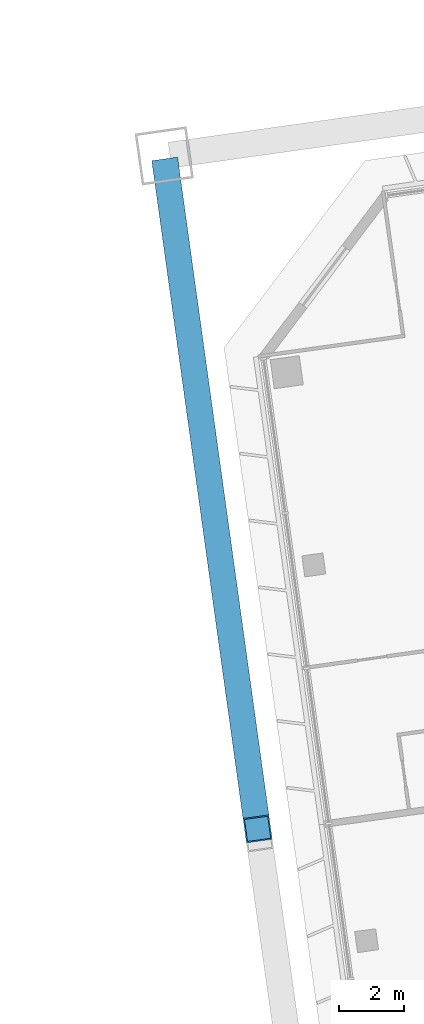
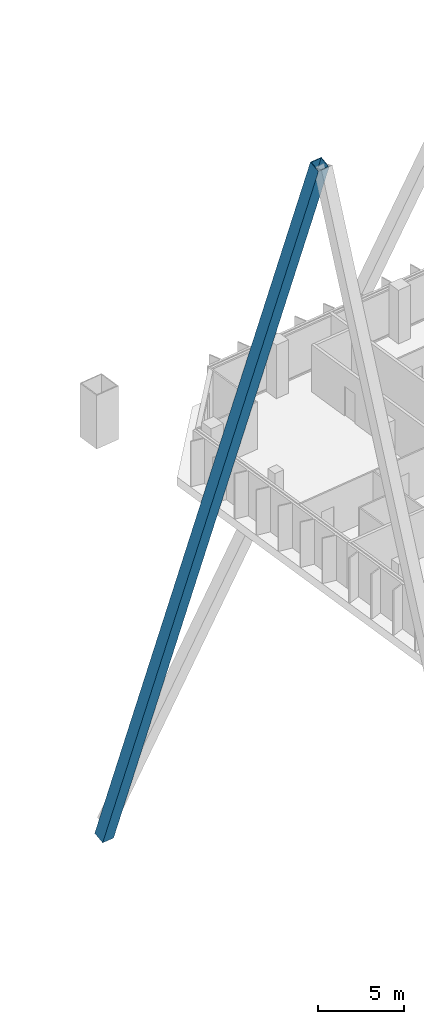
# One storey, part 20 of 41: 1 member.
"""IFC4 building model written with IfcOpenShell, lengths in metres."""

from ifc_helpers import new_model, si_unit, direction, frame, origin, origin_2d, place, context, subcontext, project, spatial, hollow_rectangle, extrude, material, material_profile, profile_set, type_object, element, save


model = new_model("IFC4")

# Units and contexts
model_context = context("Model", 3, precision=1e-05, world=origin(), true_north=direction((0.0, 1.0)))
body_context = subcontext(model_context, "Body", "Model", "MODEL_VIEW")
ifc_project = project(units=[si_unit("LENGTHUNIT", "METRE"), si_unit("AREAUNIT", "SQUARE_METRE"), si_unit("VOLUMEUNIT", "CUBIC_METRE"), si_unit("PLANEANGLEUNIT", "RADIAN"), si_unit("MASSUNIT", "GRAM", prefix="KILO")], contexts=[model_context])

# Site, building, storey
site_placement = place(None, origin())
site = spatial("IfcSite", under=ifc_project, at=site_placement, CompositionType="ELEMENT")
building_placement = place(site_placement, origin())
building = spatial("IfcBuilding", under=site, at=building_placement, Name="Mirante Cascada Hotel Towers", CompositionType="ELEMENT")
storey_placement = place(building_placement, frame((0.0, 0.0, 125.3)))
storey = spatial("IfcBuildingStorey", under=building, at=storey_placement, Name="L28", CompositionType="ELEMENT", Elevation=125.3)

# Member
ifc_material = material(Name="Steel ASTM A572 Gr 50", Category="steel")
ifc_material_profile = material_profile(ifc_material, hollow_rectangle(XDim=0.8, YDim=0.8, WallThickness=0.04, at=origin_2d()), Name="Box brace 800x800x40 ASTM A572 Gr 50")
ifc_profile_set = profile_set([ifc_material_profile], Name="Steel ASTM A572 Gr 50")
member_type = type_object("IfcMemberType", Name="Box brace 800x800x40 ASTM A572 Gr 50", PredefinedType="BRACE", material=ifc_profile_set)
member_placement = place(storey_placement, frame((25.1625, 18.0498, -27.9164), z_axis=(0.0450008, -0.3243171, 0.9448774), x_axis=(0.9905103, 0.1374388, 0.0)))
element("IfcMember", 1, at=member_placement, inside=storey, type_object=member_type, Name="brace T2 L28 6", PredefinedType="BRACE", context=body_context, shape_type="SweptSolid", body=[
    extrude(hollow_rectangle(XDim=0.8, YDim=0.8, WallThickness=0.04, at=origin_2d()), origin(), (0.0, 0.0, 1.0), 62.2678),
])

save(model, "model.ifc")
